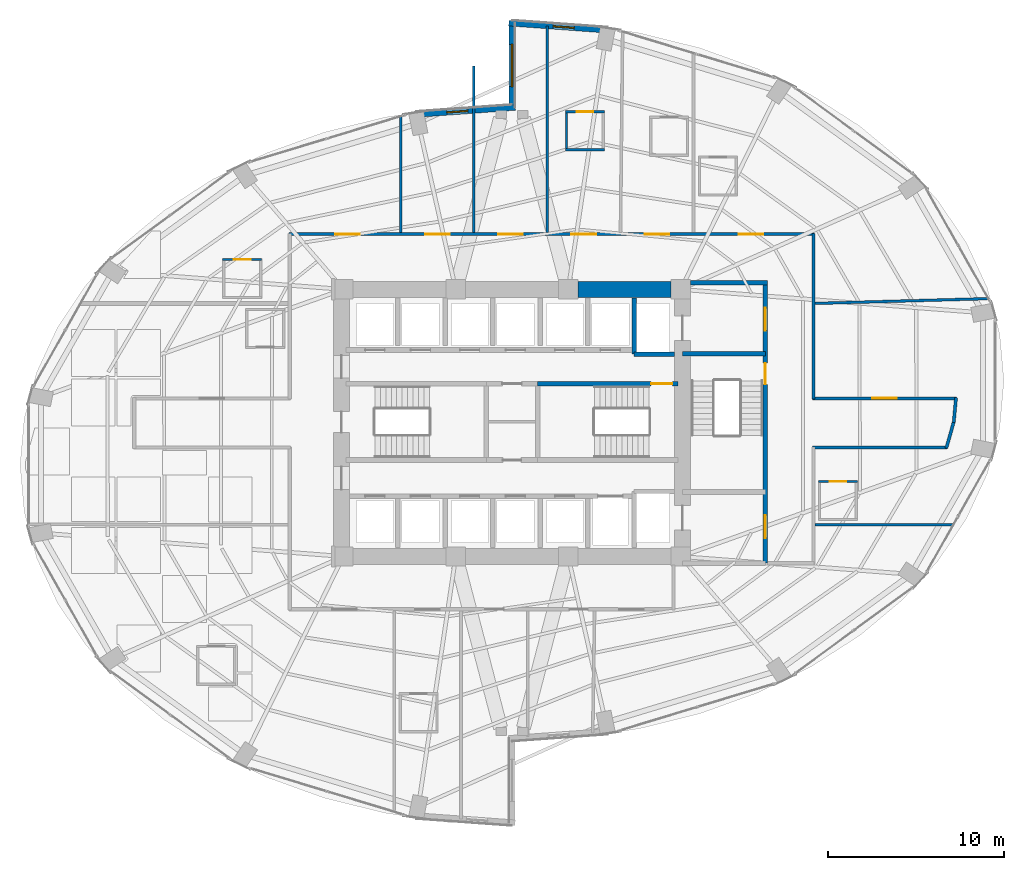
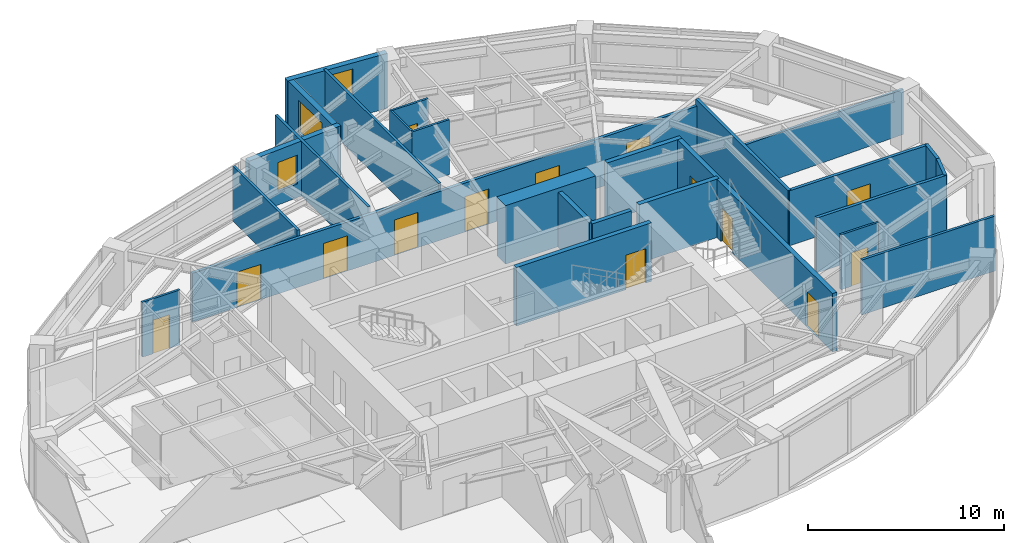
# One storey, part 22 of 25: 26 walls, 14 doors, 3 windows, 17 openings.
"""IFC4 building model written with IfcOpenShell, lengths in metres."""

import ifcopenshell
import ifcopenshell.guid

model = None  # the IFC model being written
_history = None  # IfcOwnerHistory: only IFC2X3 demands one
_inside = {}  # id of a spatial element -> (the spatial element, [elements in it])
_under = {}  # id of a project, library or spatial element -> (it, [spatial elements below it])
_declared = {}  # id of a project -> (the project, [libraries it declares])
_typed = {}  # id of a type object -> (the type object, [elements of that type])
_made_of = {}  # id of a material, layer set ... -> (it, [elements and type objects made of it])


def new_model(schema):
    """Start an empty IFC model of exactly this schema.

    Asked for "IFC4X3", IfcOpenShell would pick the latest addendum, in which some entities
    have other attributes; the version numbers below select the first issue.
    IFC2X3 requires an IfcOwnerHistory on every rooted entity: one is made here for all.
    """
    global model, _history
    if schema == "IFC4X3":
        model = ifcopenshell.file(schema_version=(4, 3, 0, 0))
    else:
        model = ifcopenshell.file(schema=schema)
    _inside.clear()
    _under.clear()
    _declared.clear()
    _typed.clear()
    _made_of.clear()
    _history = None
    if model.schema == "IFC2X3":
        org = make("IfcOrganization", Name="unknown")
        user = make(
            "IfcPersonAndOrganization",
            ThePerson=make("IfcPerson", FamilyName="unknown"),
            TheOrganization=org,
        )
        app = make(
            "IfcApplication",
            ApplicationDeveloper=org,
            Version="unknown",
            ApplicationFullName="unknown",
            ApplicationIdentifier="unknown",
        )
        _history = make(
            "IfcOwnerHistory",
            OwningUser=user,
            OwningApplication=app,
            ChangeAction="ADDED",
            CreationDate=0,
        )
    return model


def make(cls, **values):
    """One entity of the class cls with the attributes given. An attribute that is None is left unset."""
    return model.create_entity(
        cls, **{name: value for name, value in values.items() if value is not None}
    )


def rooted(cls, **values):
    """An entity with a GlobalId (a new one), such as an element, a storey or a relation."""
    return make(cls, GlobalId=ifcopenshell.guid.new(), OwnerHistory=_history, **values)


def si_unit(unit_type, name, prefix=None):
    """IfcSIUnit, for example si_unit("LENGTHUNIT", "METRE", prefix="MILLI")."""
    return make("IfcSIUnit", UnitType=unit_type, Prefix=prefix, Name=name)


def assignment(units):
    """IfcUnitAssignment: the units of a project."""
    return None if units is None else make("IfcUnitAssignment", Units=units)


def point(xyz):
    """IfcCartesianPoint."""
    return None if xyz is None else make("IfcCartesianPoint", Coordinates=xyz)


def direction(xyz):
    """IfcDirection."""
    return None if xyz is None else make("IfcDirection", DirectionRatios=xyz)


def frame(location, z_axis=None, x_axis=None):
    """IfcAxis2Placement3D, a coordinate frame: its origin and axes. An axis left out is left unset."""
    return make(
        "IfcAxis2Placement3D",
        Location=point(location),
        Axis=direction(z_axis),
        RefDirection=direction(x_axis),
    )


def frame_2d(location, x_axis=None):
    """IfcAxis2Placement2D, a coordinate frame in the plane: its origin and x axis."""
    return make(
        "IfcAxis2Placement2D", Location=point(location), RefDirection=direction(x_axis)
    )


def origin():
    """The frame at (0, 0, 0) with its axes left unset."""
    return frame((0.0, 0.0, 0.0))


def place(relative_to, where):
    """IfcLocalPlacement: puts the frame where relative to a parent placement (None: the world)."""
    return make(
        "IfcLocalPlacement", PlacementRelTo=relative_to, RelativePlacement=where
    )


def context(
    kind, dimensions, precision=None, world=None, true_north=None, identifier=None
):
    """IfcGeometricRepresentationContext, for example the 3D "Model" context."""
    return make(
        "IfcGeometricRepresentationContext",
        ContextIdentifier=identifier,
        ContextType=kind,
        CoordinateSpaceDimension=dimensions,
        Precision=precision,
        WorldCoordinateSystem=world,
        TrueNorth=true_north,
    )


def subcontext(parent, identifier, kind, view, scale=None):
    """IfcGeometricRepresentationSubContext, for example "Body" below "Model"."""
    return make(
        "IfcGeometricRepresentationSubContext",
        ContextIdentifier=identifier,
        ContextType=kind,
        ParentContext=parent,
        TargetScale=scale,
        TargetView=view,
    )


def project(units=None, contexts=None):
    """IfcProject with its units and contexts."""
    return rooted(
        "IfcProject",
        Name="project",
        RepresentationContexts=contexts,
        UnitsInContext=assignment(units),
    )


def spatial(cls, under=None, at=None, **own):
    """A site, building, storey or space (cls), placed at a placement, below another one or the project."""
    s = rooted(cls, ObjectPlacement=at, **own)
    if under is not None:
        _under.setdefault(under.id(), (under, []))[1].append(s)
    return s


def profile(cls, at=None, kind="AREA", **sizes):
    """A parametric profile (cls). Its sizes go by their IFC names, for example OverallWidth=200.0."""
    return make(cls, ProfileType=kind, Position=at, **sizes)


def rectangle(**sizes):
    """IfcRectangleProfileDef."""
    return profile("IfcRectangleProfileDef", **sizes)


def extrude(swept, where, along, depth):
    """IfcExtrudedAreaSolid: the profile swept, set in the frame where, extruded along a direction by depth."""
    return make(
        "IfcExtrudedAreaSolid",
        SweptArea=swept,
        Position=where,
        ExtrudedDirection=direction(along),
        Depth=depth,
    )


def shape(context_of_items, identifier, shape_type, items):
    """IfcShapeRepresentation: the items that make up one representation, for example the "Body"."""
    return make(
        "IfcShapeRepresentation",
        ContextOfItems=context_of_items,
        RepresentationIdentifier=identifier,
        RepresentationType=shape_type,
        Items=items,
    )


def material(Name=None, Category=None):
    """IfcMaterial."""
    return make("IfcMaterial", Name=Name, Category=Category)


def layer(
    of_material, thickness, ventilated=None, Name=None, Category=None, Priority=None
):
    """IfcMaterialLayer: one layer of a wall or slab, of a material (None: an air gap)."""
    return make(
        "IfcMaterialLayer",
        Material=of_material,
        LayerThickness=thickness,
        IsVentilated=ventilated,
        Name=Name,
        Category=Category,
        Priority=Priority,
    )


def layer_set(layers, Name=None):
    """IfcMaterialLayerSet."""
    return make("IfcMaterialLayerSet", MaterialLayers=layers, LayerSetName=Name)


def made_of(thing, what):
    """Note that an element or type object is made of a material, layer set ...; save() writes the relation."""
    if what is not None:
        _made_of.setdefault(what.id(), (what, []))[1].append(thing)
    return thing


def type_object(cls, material=None, **own):
    """A type object (cls), such as IfcWallType, which elements share."""
    return made_of(rooted(cls, **own), material)


def element(
    cls,
    number,
    at=None,
    inside=None,
    cuts=None,
    type_object=None,
    material=None,
    context=None,
    identifier="Body",
    shape_type=None,
    held_by="IfcProductDefinitionShape",
    body=None,
    shapes=None,
    **own,
):
    """One element of the class cls, such as IfcWall. Its Tag is "e" and its number.

    at: its placement. inside: the storey or other place that contains it. cuts: it is an
    opening in that element (IfcRelVoidsElement). A single representation is given by context,
    identifier, shape_type and body (its items); several are given by shapes. held_by: the class
    of the entity that holds the representations. save() writes the other relations.
    """
    e = rooted(cls, Tag="e%d" % number, ObjectPlacement=at, **own)
    if body is not None:
        shapes = [shape(context, identifier, shape_type, body)]
    if shapes is not None:
        e.Representation = make(held_by, Representations=shapes)
    if inside is not None:
        _inside.setdefault(inside.id(), (inside, []))[1].append(e)
    if cuts is not None:
        rooted(
            "IfcRelVoidsElement", RelatingBuildingElement=cuts, RelatedOpeningElement=e
        )
    if type_object is not None:
        _typed.setdefault(type_object.id(), (type_object, []))[1].append(e)
    return made_of(e, material)


def fill(opening, filler):
    """IfcRelFillsElement: the door or window that sits in an opening."""
    return rooted(
        "IfcRelFillsElement",
        RelatingOpeningElement=opening,
        RelatedBuildingElement=filler,
    )


def aggregate(whole, parts):
    """IfcRelAggregates: a whole, such as a stair, and the parts it consists of."""
    return rooted("IfcRelAggregates", RelatingObject=whole, RelatedObjects=parts)


def save(model, path):
    """Write the relations noted so far, then the file.

    IfcRelAggregates (storeys below a building ...), IfcRelContainedInSpatialStructure (elements
    in a storey), IfcRelDefinesByType, IfcRelAssociatesMaterial and IfcRelDeclares: one each for
    every whole, place, type object, material and project.
    """
    for whole, parts in _under.values():
        aggregate(whole, parts)
    for where, things in _inside.values():
        rooted(
            "IfcRelContainedInSpatialStructure",
            RelatedElements=things,
            RelatingStructure=where,
        )
    for kind, things in _typed.values():
        rooted("IfcRelDefinesByType", RelatedObjects=things, RelatingType=kind)
    for what, things in _made_of.values():
        rooted("IfcRelAssociatesMaterial", RelatedObjects=things, RelatingMaterial=what)
    for by, libraries in _declared.values():
        rooted("IfcRelDeclares", RelatingContext=by, RelatedDefinitions=libraries)
    model.write(path)


model = new_model("IFC4")

# Units and contexts
model_context = context("Model", 3, precision=1e-05, world=origin(), true_north=direction((0.0, 1.0)))
body_context = subcontext(model_context, "Body", "Model", "MODEL_VIEW")
ifc_project = project(units=[si_unit("LENGTHUNIT", "METRE"), si_unit("AREAUNIT", "SQUARE_METRE"), si_unit("VOLUMEUNIT", "CUBIC_METRE"), si_unit("PLANEANGLEUNIT", "RADIAN"), si_unit("MASSUNIT", "GRAM", prefix="KILO")], contexts=[model_context])

# Site, building, storey
site_placement = place(None, origin())
site = spatial("IfcSite", under=ifc_project, at=site_placement, CompositionType="ELEMENT")
building_placement = place(site_placement, origin())
building = spatial("IfcBuilding", under=site, at=building_placement, Name="Lazwardi Medical Tower", CompositionType="ELEMENT")
storey_placement = place(building_placement, frame((0.0, 0.0, 32.49609375)))
storey = spatial("IfcBuildingStorey", under=building, at=storey_placement, Name="L07", CompositionType="ELEMENT", Elevation=32.49609375)

# Wall, openings, doors
ifc_material_1 = material(Name="Fire-rated gypsum board on steel stud", Category="steel")
ifc_layer_1 = layer(ifc_material_1, 0.179931640625)
ifc_layer_set_1 = layer_set([ifc_layer_1], Name="Fire-rated gypsum board on steel stud")
wall_type_1 = type_object("IfcWallType", Name="WL-COR-180", PredefinedType="PARTITIONING", material=ifc_layer_set_1)
wall_1_placement = place(storey_placement, frame((23.31005859375, 38.75, 0.0), z_axis=(0.0, 0.0, 1.0), x_axis=(1.0, 0.0, 0.0)))
wall_1 = element("IfcWall", 1, at=wall_1_placement, inside=storey, type_object=wall_type_1, Name="L07 Corridor partition 4", PredefinedType="PARTITIONING", context=body_context, shape_type="SweptSolid", body=[
    extrude(rectangle(XDim=29.8798828125, YDim=0.179931640625, at=frame_2d((14.93994140625, 0.0))), origin(), (0.0, 0.0, 1.0), 3.052978515625),
])
opening_1_placement = place(wall_1_placement, frame((25.591064453125, 0.0, 0.0)))
opening_1 = element("IfcOpeningElement", 2, at=opening_1_placement, cuts=wall_1, Name="Opening D-L07-021", PredefinedType="OPENING", context=body_context, shape_type="SweptSolid", body=[
    extrude(rectangle(XDim=1.39990234375, YDim=2.199951171875, at=frame_2d((0.699951171875, 1.10009765625))), frame((0.0, 0.099853515625, 0.0), z_axis=(0.0, -1.0, 0.0), x_axis=(1.0, 0.0, 0.0)), (0.0, 0.0, 1.0), 0.199951171875),
])
opening_2_placement = place(wall_1_placement, frame((20.240478515625, 0.0, 0.0)))
opening_2 = element("IfcOpeningElement", 3, at=opening_2_placement, cuts=wall_1, Name="Opening D-L07-022", PredefinedType="OPENING", context=body_context, shape_type="SweptSolid", body=[
    extrude(rectangle(XDim=1.39990234375, YDim=2.199951171875, at=frame_2d((0.699951171875, 1.10009765625))), frame((0.0, 0.099853515625, 0.0), z_axis=(0.0, -1.0, 0.0), x_axis=(1.0, 0.0, 0.0)), (0.0, 0.0, 1.0), 0.199951171875),
])
opening_3_placement = place(wall_1_placement, frame((16.075439453125, 0.0, 0.0)))
opening_3 = element("IfcOpeningElement", 4, at=opening_3_placement, cuts=wall_1, Name="Opening D-L07-023", PredefinedType="OPENING", context=body_context, shape_type="SweptSolid", body=[
    extrude(rectangle(XDim=1.39990234375, YDim=2.199951171875, at=frame_2d((0.699951171875, 1.10009765625))), frame((0.0, 0.099853515625, 0.0), z_axis=(0.0, -1.0, 0.0), x_axis=(1.0, 0.0, 0.0)), (0.0, 0.0, 1.0), 0.199951171875),
])
opening_4_placement = place(wall_1_placement, frame((11.905029296875, 0.0, 0.0)))
opening_4 = element("IfcOpeningElement", 5, at=opening_4_placement, cuts=wall_1, Name="Opening D-L07-024", PredefinedType="OPENING", context=body_context, shape_type="SweptSolid", body=[
    extrude(rectangle(XDim=1.39990234375, YDim=2.199951171875, at=frame_2d((0.699951171875, 1.10009765625))), frame((0.0, 0.099853515625, 0.0), z_axis=(0.0, -1.0, 0.0), x_axis=(1.0, 0.0, 0.0)), (0.0, 0.0, 1.0), 0.199951171875),
])
opening_5_placement = place(wall_1_placement, frame((7.739990234375, 0.0, 0.0)))
opening_5 = element("IfcOpeningElement", 6, at=opening_5_placement, cuts=wall_1, Name="Opening D-L07-025", PredefinedType="OPENING", context=body_context, shape_type="SweptSolid", body=[
    extrude(rectangle(XDim=1.39990234375, YDim=2.199951171875, at=frame_2d((0.699951171875, 1.10009765625))), frame((0.0, 0.099853515625, 0.0), z_axis=(0.0, -1.0, 0.0), x_axis=(1.0, 0.0, 0.0)), (0.0, 0.0, 1.0), 0.199951171875),
])
opening_6_placement = place(wall_1_placement, frame((2.638916015625, 0.0, 0.0)))
opening_6 = element("IfcOpeningElement", 7, at=opening_6_placement, cuts=wall_1, Name="Opening D-L07-026", PredefinedType="OPENING", context=body_context, shape_type="SweptSolid", body=[
    extrude(rectangle(XDim=1.39990234375, YDim=2.199951171875, at=frame_2d((0.699951171875, 1.10009765625))), frame((0.0, 0.099853515625, 0.0), z_axis=(0.0, -1.0, 0.0), x_axis=(1.0, 0.0, 0.0)), (0.0, 0.0, 1.0), 0.199951171875),
])
ifc_material_2 = material(Name="Anti-microbial laminate hospital leaf")
door_type_1 = type_object("IfcDoorType", Name="DR-BED-1400", OperationType="NOTDEFINED", PredefinedType="DOOR", material=ifc_material_2)
door_1_placement = place(opening_1_placement, origin())
door_1 = element("IfcDoor", 8, at=door_1_placement, inside=storey, type_object=door_type_1, Name="L07 Inpatient Ward Door 07", OperationType="SINGLE_SWING_RIGHT", OverallHeight=2.199951171875, OverallWidth=1.39990234375, PredefinedType="DOOR", context=body_context, shape_type="SweptSolid", body=[
    extrude(rectangle(XDim=1.39990234375, YDim=2.199951171875, at=frame_2d((0.699951171875, 1.10009765625))), frame((0.0, 0.02490234375, 0.0), z_axis=(0.0, -1.0, 0.0), x_axis=(1.0, 0.0, 0.0)), (0.0, 0.0, 1.0), 0.050048828125),
])
fill(opening_1, door_1)
door_2_placement = place(opening_2_placement, origin())
door_2 = element("IfcDoor", 9, at=door_2_placement, inside=storey, type_object=door_type_1, Name="L07 Inpatient Ward Door 08", OperationType="SINGLE_SWING_RIGHT", OverallHeight=2.199951171875, OverallWidth=1.39990234375, PredefinedType="DOOR", context=body_context, shape_type="SweptSolid", body=[
    extrude(rectangle(XDim=1.39990234375, YDim=2.199951171875, at=frame_2d((0.699951171875, 1.10009765625))), frame((0.0, 0.02490234375, 0.0), z_axis=(0.0, -1.0, 0.0), x_axis=(1.0, 0.0, 0.0)), (0.0, 0.0, 1.0), 0.050048828125),
])
fill(opening_2, door_2)
door_3_placement = place(opening_3_placement, origin())
door_3 = element("IfcDoor", 10, at=door_3_placement, inside=storey, type_object=door_type_1, Name="L07 Inpatient Ward Door 09", OperationType="SINGLE_SWING_RIGHT", OverallHeight=2.199951171875, OverallWidth=1.39990234375, PredefinedType="DOOR", context=body_context, shape_type="SweptSolid", body=[
    extrude(rectangle(XDim=1.39990234375, YDim=2.199951171875, at=frame_2d((0.699951171875, 1.10009765625))), frame((0.0, 0.02490234375, 0.0), z_axis=(0.0, -1.0, 0.0), x_axis=(1.0, 0.0, 0.0)), (0.0, 0.0, 1.0), 0.050048828125),
])
fill(opening_3, door_3)
door_4_placement = place(opening_4_placement, origin())
door_4 = element("IfcDoor", 11, at=door_4_placement, inside=storey, type_object=door_type_1, Name="L07 Inpatient Ward Door 10", OperationType="SINGLE_SWING_LEFT", OverallHeight=2.199951171875, OverallWidth=1.39990234375, PredefinedType="DOOR", context=body_context, shape_type="SweptSolid", body=[
    extrude(rectangle(XDim=1.39990234375, YDim=2.199951171875, at=frame_2d((0.699951171875, 1.10009765625))), frame((0.0, 0.02490234375, 0.0), z_axis=(0.0, -1.0, 0.0), x_axis=(1.0, 0.0, 0.0)), (0.0, 0.0, 1.0), 0.050048828125),
])
fill(opening_4, door_4)
door_5_placement = place(opening_5_placement, origin())
door_5 = element("IfcDoor", 12, at=door_5_placement, inside=storey, type_object=door_type_1, Name="L07 Inpatient Ward Door 11", OperationType="SINGLE_SWING_RIGHT", OverallHeight=2.199951171875, OverallWidth=1.39990234375, PredefinedType="DOOR", context=body_context, shape_type="SweptSolid", body=[
    extrude(rectangle(XDim=1.39990234375, YDim=2.199951171875, at=frame_2d((0.699951171875, 1.10009765625))), frame((0.0, 0.02490234375, 0.0), z_axis=(0.0, -1.0, 0.0), x_axis=(1.0, 0.0, 0.0)), (0.0, 0.0, 1.0), 0.050048828125),
])
fill(opening_5, door_5)
door_6_placement = place(opening_6_placement, origin())
door_6 = element("IfcDoor", 13, at=door_6_placement, inside=storey, type_object=door_type_1, Name="L07 Inpatient Ward Door 12", OperationType="SINGLE_SWING_RIGHT", OverallHeight=2.199951171875, OverallWidth=1.39990234375, PredefinedType="DOOR", context=body_context, shape_type="SweptSolid", body=[
    extrude(rectangle(XDim=1.39990234375, YDim=2.199951171875, at=frame_2d((0.699951171875, 1.10009765625))), frame((0.0, 0.02490234375, 0.0), z_axis=(0.0, -1.0, 0.0), x_axis=(1.0, 0.0, 0.0)), (0.0, 0.0, 1.0), 0.050048828125),
])
fill(opening_6, door_6)

# Wall
wall_2_placement = place(storey_placement, frame((53.14990234375, 38.7900390625, 0.0), z_axis=(0.0, 0.0, 1.0), x_axis=(0.0, -1.0, 0.0)))
element("IfcWall", 14, at=wall_2_placement, inside=storey, type_object=wall_type_1, Name="L07 Corridor partition 5", PredefinedType="PARTITIONING", context=body_context, shape_type="SweptSolid", body=[
    extrude(rectangle(XDim=9.429931640625, YDim=0.179931640625, at=frame_2d((4.71484375, 0.0))), origin(), (0.0, 0.0, 1.0), 3.427978515625),
])

# Wall, opening, door
wall_3_placement = place(storey_placement, frame((53.110107421875, 29.39990234375, 0.0), z_axis=(0.0, 0.0, 1.0), x_axis=(1.0, 0.0, 0.0)))
wall_3 = element("IfcWall", 15, at=wall_3_placement, inside=storey, type_object=wall_type_1, Name="L07 Corridor partition 6", PredefinedType="PARTITIONING", context=body_context, shape_type="SweptSolid", body=[
    extrude(rectangle(XDim=8.19677734375, YDim=0.179931640625, at=frame_2d((4.098388671875, 0.0))), origin(), (0.0, 0.0, 1.0), 3.427978515625),
])
opening_7_placement = place(wall_3_placement, frame((3.3984375, 0.0, 0.0)))
opening_7 = element("IfcOpeningElement", 16, at=opening_7_placement, cuts=wall_3, Name="Opening D-L07-020", PredefinedType="OPENING", context=body_context, shape_type="SweptSolid", body=[
    extrude(rectangle(XDim=1.39990234375, YDim=2.199951171875, at=frame_2d((0.699951171875, 1.10009765625))), frame((0.0, 0.099853515625, 0.0), z_axis=(0.0, -1.0, 0.0), x_axis=(1.0, 0.0, 0.0)), (0.0, 0.0, 1.0), 0.199951171875),
])
door_7_placement = place(opening_7_placement, origin())
door_7 = element("IfcDoor", 17, at=door_7_placement, inside=storey, type_object=door_type_1, Name="L07 Inpatient Ward Door 06", OperationType="SINGLE_SWING_RIGHT", OverallHeight=2.199951171875, OverallWidth=1.39990234375, PredefinedType="DOOR", context=body_context, shape_type="SweptSolid", body=[
    extrude(rectangle(XDim=1.39990234375, YDim=2.199951171875, at=frame_2d((0.699951171875, 1.10009765625))), frame((0.0, 0.02490234375, 0.0), z_axis=(0.0, -1.0, 0.0), x_axis=(1.0, 0.0, 0.0)), (0.0, 0.0, 1.0), 0.050048828125),
])
fill(opening_7, door_7)

# Walls
wall_4_placement = place(storey_placement, frame((61.2705078125, 29.439697265625, 0.0), z_axis=(0.0, 0.0, 1.0), x_axis=(-0.092539930621, -0.995708974169, 0.0)))
element("IfcWall", 18, at=wall_4_placement, inside=storey, type_object=wall_type_1, Name="L07 Corridor partition 7", PredefinedType="PARTITIONING", context=body_context, shape_type="SweptSolid", body=[
    extrude(rectangle(XDim=1.416748046875, YDim=0.179931640625, at=frame_2d((0.70849609375, 0.0))), origin(), (0.0, 0.0, 1.0), 3.427978515625),
])
wall_5_placement = place(storey_placement, frame((61.15380859375, 28.107421875, 0.0), z_axis=(0.0, 0.0, 1.0), x_axis=(-0.271748942561, -0.962368179138, 0.0)))
element("IfcWall", 19, at=wall_5_placement, inside=storey, type_object=wall_type_1, Name="L07 Corridor partition 8", PredefinedType="PARTITIONING", context=body_context, shape_type="SweptSolid", body=[
    extrude(rectangle(XDim=1.6064453125, YDim=0.179931640625, at=frame_2d((0.80322265625, 0.0))), origin(), (0.0, 0.0, 1.0), 3.427978515625),
])
wall_6_placement = place(storey_placement, frame((60.768310546875, 26.60009765625, 0.0), z_axis=(0.0, 0.0, 1.0), x_axis=(-1.0, 0.0, 0.0)))
element("IfcWall", 20, at=wall_6_placement, inside=storey, type_object=wall_type_1, Name="L07 Corridor partition 9", PredefinedType="PARTITIONING", context=body_context, shape_type="SweptSolid", body=[
    extrude(rectangle(XDim=7.658203125, YDim=0.179931640625, at=frame_2d((3.8291015625, 0.0))), origin(), (0.0, 0.0, 1.0), 3.427978515625),
])
ifc_material_3 = material(Name="Concrete C80/95", Category="concrete")
ifc_layer_2 = layer(ifc_material_3, 0.89990234375)
ifc_layer_set_2 = layer_set([ifc_layer_2], Name="Concrete C80/95")
wall_type_2 = type_object("IfcWallType", Name="WL-CORE-900", PredefinedType="SHEAR", material=ifc_layer_set_2)
wall_7_placement = place(storey_placement, frame((39.75, 35.60009765625, 0.0), z_axis=(0.0, 0.0, 1.0), x_axis=(1.0, 0.0, 0.0)))
element("IfcWall", 21, at=wall_7_placement, inside=storey, type_object=wall_type_2, Name="Core wall CW-S1 N3 L07", PredefinedType="SHEAR", context=body_context, shape_type="SweptSolid", body=[
    extrude(rectangle(XDim=5.300048828125, YDim=0.89990234375, at=frame_2d((2.64990234375, 0.0))), origin(), (0.0, 0.0, 1.0), 3.64794921875),
])

# Wall, opening, door
ifc_material_4 = material(Name="Moisture-resistant gypsum board partition")
ifc_layer_3 = layer(ifc_material_4, 0.125)
ifc_layer_set_3 = layer_set([ifc_layer_3], Name="Moisture-resistant gypsum board partition")
wall_type_3 = type_object("IfcWallType", Name="WL-ENS-125", PredefinedType="PARTITIONING", material=ifc_layer_set_3)
wall_8_placement = place(storey_placement, frame((53.43505859375, 24.6650390625, 0.0), z_axis=(0.0, 0.0, 1.0), x_axis=(1.0, 0.0, 0.0)))
wall_8 = element("IfcWall", 22, at=wall_8_placement, inside=storey, type_object=wall_type_3, Name="L07 En-suite wall 6N", PredefinedType="PARTITIONING", context=body_context, shape_type="SweptSolid", body=[
    extrude(rectangle(XDim=2.219970703125, YDim=0.125, at=frame_2d((1.10986328125, 0.0))), origin(), (0.0, 0.0, 1.0), 3.427978515625),
])
opening_8_placement = place(wall_8_placement, frame((0.635009765625, 0.0, 0.0)))
opening_8 = element("IfcOpeningElement", 23, at=opening_8_placement, cuts=wall_8, Name="Opening D-L07-005", PredefinedType="OPENING", context=body_context, shape_type="SweptSolid", body=[
    extrude(rectangle(XDim=0.949951171875, YDim=2.10009765625, at=frame_2d((0.47509765625, 1.050048828125))), frame((0.0, 0.072509765625, 0.0), z_axis=(0.0, -1.0, 0.0), x_axis=(1.0, 0.0, 0.0)), (0.0, 0.0, 1.0), 0.14501953125),
])
ifc_material_5 = material(Name="Moisture-resistant laminate door leaf")
door_type_2 = type_object("IfcDoorType", Name="DR-ENS-950", OperationType="NOTDEFINED", PredefinedType="DOOR", material=ifc_material_5)
door_8_placement = place(opening_8_placement, origin())
door_8 = element("IfcDoor", 24, at=door_8_placement, inside=storey, type_object=door_type_2, Name="L07 En-suite Door 06", OperationType="SINGLE_SWING_LEFT", OverallHeight=2.10009765625, OverallWidth=0.949951171875, PredefinedType="DOOR", context=body_context, shape_type="SweptSolid", body=[
    extrude(rectangle(XDim=0.949951171875, YDim=2.10009765625, at=frame_2d((0.47509765625, 1.050048828125))), frame((0.0, 0.02490234375, 0.0), z_axis=(0.0, -1.0, 0.0), x_axis=(1.0, 0.0, 0.0)), (0.0, 0.0, 1.0), 0.050048828125),
])
fill(opening_8, door_8)

wall_9_placement = place(storey_placement, frame((39.035888671875, 45.7109375, 0.0), z_axis=(0.0, 0.0, 1.0), x_axis=(1.0, 0.0, 0.0)))
wall_9 = element("IfcWall", 25, at=wall_9_placement, inside=storey, type_object=wall_type_3, Name="L07 En-suite wall 9N", PredefinedType="PARTITIONING", context=body_context, shape_type="SweptSolid", body=[
    extrude(rectangle(XDim=2.219970703125, YDim=0.125, at=frame_2d((1.10986328125, 0.0))), origin(), (0.0, 0.0, 1.0), 3.427978515625),
])
opening_9_placement = place(wall_9_placement, frame((0.635009765625, 0.0, 0.0)))
opening_9 = element("IfcOpeningElement", 26, at=opening_9_placement, cuts=wall_9, Name="Opening D-L07-008", PredefinedType="OPENING", context=body_context, shape_type="SweptSolid", body=[
    extrude(rectangle(XDim=0.949951171875, YDim=2.10009765625, at=frame_2d((0.47509765625, 1.050048828125))), frame((0.0, 0.072509765625, 0.0), z_axis=(0.0, -1.0, 0.0), x_axis=(1.0, 0.0, 0.0)), (0.0, 0.0, 1.0), 0.14501953125),
])
door_9_placement = place(opening_9_placement, origin())
door_9 = element("IfcDoor", 27, at=door_9_placement, inside=storey, type_object=door_type_2, Name="L07 En-suite Door 09", OperationType="SINGLE_SWING_LEFT", OverallHeight=2.10009765625, OverallWidth=0.949951171875, PredefinedType="DOOR", context=body_context, shape_type="SweptSolid", body=[
    extrude(rectangle(XDim=0.949951171875, YDim=2.10009765625, at=frame_2d((0.47509765625, 1.050048828125))), frame((0.0, 0.02490234375, 0.0), z_axis=(0.0, -1.0, 0.0), x_axis=(1.0, 0.0, 0.0)), (0.0, 0.0, 1.0), 0.050048828125),
])
fill(opening_9, door_9)

# Walls
wall_10_placement = place(storey_placement, frame((39.035888671875, 43.551025390625, 0.0), z_axis=(0.0, 0.0, 1.0), x_axis=(1.0, 0.0, 0.0)))
element("IfcWall", 28, at=wall_10_placement, inside=storey, type_object=wall_type_3, Name="L07 En-suite wall 9S", PredefinedType="PARTITIONING", context=body_context, shape_type="SweptSolid", body=[
    extrude(rectangle(XDim=2.219970703125, YDim=0.125, at=frame_2d((1.10986328125, 0.0))), origin(), (0.0, 0.0, 1.0), 3.427978515625),
])
wall_11_placement = place(storey_placement, frame((39.095703125, 43.490966796875, 0.0), z_axis=(0.0, 0.0, 1.0), x_axis=(0.0, 1.0, 0.0)))
element("IfcWall", 29, at=wall_11_placement, inside=storey, type_object=wall_type_3, Name="L07 En-suite wall 9W", PredefinedType="PARTITIONING", context=body_context, shape_type="SweptSolid", body=[
    extrude(rectangle(XDim=2.280029296875, YDim=0.125, at=frame_2d((1.14013671875, 0.0))), origin(), (0.0, 0.0, 1.0), 3.427978515625),
])

# Wall, opening, door
wall_12_placement = place(storey_placement, frame((19.53759765625, 37.300048828125, 0.0), z_axis=(0.0, 0.0, 1.0), x_axis=(1.0, 0.0, 0.0)))
wall_12 = element("IfcWall", 30, at=wall_12_placement, inside=storey, type_object=wall_type_3, Name="L07 En-suite wall 12N", PredefinedType="PARTITIONING", context=body_context, shape_type="SweptSolid", body=[
    extrude(rectangle(XDim=2.219970703125, YDim=0.125, at=frame_2d((1.10986328125, 0.0))), origin(), (0.0, 0.0, 1.0), 3.427978515625),
])
opening_10_placement = place(wall_12_placement, frame((0.635009765625, 0.0, 0.0)))
opening_10 = element("IfcOpeningElement", 31, at=opening_10_placement, cuts=wall_12, Name="Opening D-L07-009", PredefinedType="OPENING", context=body_context, shape_type="SweptSolid", body=[
    extrude(rectangle(XDim=0.949951171875, YDim=2.10009765625, at=frame_2d((0.47509765625, 1.050048828125))), frame((0.0, 0.072509765625, 0.0), z_axis=(0.0, -1.0, 0.0), x_axis=(1.0, 0.0, 0.0)), (0.0, 0.0, 1.0), 0.14501953125),
])
door_10_placement = place(opening_10_placement, origin())
door_10 = element("IfcDoor", 32, at=door_10_placement, inside=storey, type_object=door_type_2, Name="L07 En-suite Door 12", OperationType="SINGLE_SWING_LEFT", OverallHeight=2.10009765625, OverallWidth=0.949951171875, PredefinedType="DOOR", context=body_context, shape_type="SweptSolid", body=[
    extrude(rectangle(XDim=0.949951171875, YDim=2.10009765625, at=frame_2d((0.47509765625, 1.050048828125))), frame((0.0, 0.02490234375, 0.0), z_axis=(0.0, -1.0, 0.0), x_axis=(1.0, 0.0, 0.0)), (0.0, 0.0, 1.0), 0.050048828125),
])
fill(opening_10, door_10)

# Wall, opening, window
ifc_material_6 = material(Name="Precast concrete C45/55", Category="concrete")
ifc_layer_4 = layer(ifc_material_6, 0.320068359375)
ifc_layer_set_4 = layer_set([ifc_layer_4], Name="Precast concrete C45/55")
wall_type_4 = type_object("IfcWallType", Name="WL-IWAN-320", PredefinedType="SOLIDWALL", material=ifc_layer_set_4)
wall_13_placement = place(storey_placement, frame((41.481201171875, 50.345703125, 0.0), z_axis=(0.0, 0.0, 1.0), x_axis=(-0.997422321809, 0.071754525696, 0.0)))
wall_13 = element("IfcWall", 33, at=wall_13_placement, inside=storey, type_object=wall_type_4, Name="L07 Iwan Portal Return Wall NE_ret", PredefinedType="SOLIDWALL", context=body_context, shape_type="SweptSolid", body=[
    extrude(rectangle(XDim=5.67529296875, YDim=0.320068359375, at=frame_2d((2.837646484375, 0.0))), origin(), (0.0, 0.0, 1.0), 3.427978515625),
])
opening_11_placement = place(wall_13_placement, frame((1.94921875, 0.0, 0.85009765625)))
opening_11 = element("IfcOpeningElement", 34, at=opening_11_placement, cuts=wall_13, Name="Opening WN-01", PredefinedType="OPENING", context=body_context, shape_type="SweptSolid", body=[
    extrude(rectangle(XDim=1.199951171875, YDim=2.199951171875, at=frame_2d((0.60009765625, 1.10009765625))), frame((0.0, 0.169921875, 0.0), z_axis=(0.0, -1.0, 0.0), x_axis=(1.0, 0.0, 0.0)), (0.0, 0.0, 1.0), 0.340087890625),
])
ifc_material_7 = material(Name="Low-e bronze solar control double glazing", Category="glass")
window_type_1 = type_object("IfcWindowType", Name="WIN-IW-1200", PartitioningType="SINGLE_PANEL", PredefinedType="WINDOW", material=ifc_material_7)
window_1_placement = place(opening_11_placement, origin())
window_1 = element("IfcWindow", 35, at=window_1_placement, inside=storey, type_object=window_type_1, Name="L07 Iwan Slot Window NE_ret", OverallHeight=2.199951171875, OverallWidth=1.199951171875, PartitioningType="SINGLE_PANEL", PredefinedType="WINDOW", context=body_context, shape_type="SweptSolid", body=[
    extrude(rectangle(XDim=1.199951171875, YDim=2.199951171875, at=frame_2d((0.60009765625, 1.10009765625))), frame((0.0, 0.030029296875, 0.0), z_axis=(0.0, -1.0, 0.0), x_axis=(1.0, 0.0, 0.0)), (0.0, 0.0, 1.0), 0.06005859375),
])
fill(opening_11, window_1)

wall_14_placement = place(storey_placement, frame((36.178955078125, 45.952880859375, 0.0), z_axis=(0.0, 0.0, 1.0), x_axis=(-0.997421878774, -0.071760683825, 0.0)))
wall_14 = element("IfcWall", 36, at=wall_14_placement, inside=storey, type_object=wall_type_4, Name="L07 Iwan Portal Return Wall NW_ret", PredefinedType="SOLIDWALL", context=body_context, shape_type="SweptSolid", body=[
    extrude(rectangle(XDim=5.6748046875, YDim=0.320068359375, at=frame_2d((2.83740234375, 0.0))), origin(), (0.0, 0.0, 1.0), 3.427978515625),
])
opening_12_placement = place(wall_14_placement, frame((2.6962890625, 0.0, 0.85009765625)))
opening_12 = element("IfcOpeningElement", 37, at=opening_12_placement, cuts=wall_14, Name="Opening WN-04", PredefinedType="OPENING", context=body_context, shape_type="SweptSolid", body=[
    extrude(rectangle(XDim=1.199951171875, YDim=1.800048828125, at=frame_2d((0.60009765625, 0.89990234375))), frame((0.0, 0.169921875, 0.0), z_axis=(0.0, -1.0, 0.0), x_axis=(1.0, 0.0, 0.0)), (0.0, 0.0, 1.0), 0.340087890625),
])
window_type_2 = type_object("IfcWindowType", Name="WIN-DRUM-1200", PartitioningType="SINGLE_PANEL", PredefinedType="WINDOW", material=ifc_material_7)
window_2_placement = place(opening_12_placement, origin())
window_2 = element("IfcWindow", 38, at=window_2_placement, inside=storey, type_object=window_type_2, Name="L07 Iwan Slot Window NW_ret", OverallHeight=1.800048828125, OverallWidth=1.199951171875, PartitioningType="SINGLE_PANEL", PredefinedType="WINDOW", context=body_context, shape_type="SweptSolid", body=[
    extrude(rectangle(XDim=1.199951171875, YDim=1.800048828125, at=frame_2d((0.60009765625, 0.89990234375))), frame((0.0, 0.030029296875, 0.0), z_axis=(0.0, -1.0, 0.0), x_axis=(1.0, 0.0, 0.0)), (0.0, 0.0, 1.0), 0.06005859375),
])
fill(opening_12, window_2)

wall_15_placement = place(storey_placement, frame((36.0, 50.89990234375, 0.0), z_axis=(0.0, 0.0, 1.0), x_axis=(0.0, -1.0, 0.0)))
wall_15 = element("IfcWall", 39, at=wall_15_placement, inside=storey, type_object=wall_type_4, Name="L07 Turquoise Tilework Iwan Seam Wall N_seam", PredefinedType="SOLIDWALL", context=body_context, shape_type="SweptSolid", body=[
    extrude(rectangle(XDim=5.119873046875, YDim=0.320068359375, at=frame_2d((2.56005859375, 0.0))), origin(), (0.0, 0.0, 1.0), 3.427978515625),
])
opening_13_placement = place(wall_15_placement, frame((1.360107421875, 0.0, 0.840087890625)))
opening_13 = element("IfcOpeningElement", 40, at=opening_13_placement, cuts=wall_15, Name="Opening WN-02", PredefinedType="OPENING", context=body_context, shape_type="SweptSolid", body=[
    extrude(rectangle(XDim=2.39990234375, YDim=2.0400390625, at=frame_2d((1.199951171875, 1.02001953125))), frame((0.0, 0.169921875, 0.0), z_axis=(0.0, -1.0, 0.0), x_axis=(1.0, 0.0, 0.0)), (0.0, 0.0, 1.0), 0.340087890625),
])
window_type_3 = type_object("IfcWindowType", Name="WIN-IW-2400", PartitioningType="SINGLE_PANEL", PredefinedType="WINDOW", material=ifc_material_7)
window_3_placement = place(opening_13_placement, origin())
window_3 = element("IfcWindow", 41, at=window_3_placement, inside=storey, type_object=window_type_3, Name="L07 Iwan Seam Window N_seam", OverallHeight=2.0400390625, OverallWidth=2.39990234375, PartitioningType="SINGLE_PANEL", PredefinedType="WINDOW", context=body_context, shape_type="SweptSolid", body=[
    extrude(rectangle(XDim=2.39990234375, YDim=2.0400390625, at=frame_2d((1.199951171875, 1.02001953125))), frame((0.0, 0.030029296875, 0.0), z_axis=(0.0, -1.0, 0.0), x_axis=(1.0, 0.0, 0.0)), (0.0, 0.0, 1.0), 0.06005859375),
])
fill(opening_13, window_3)

# Walls
ifc_material_8 = material(Name="Autoclaved aerated concrete blockwork", Category="masonry")
ifc_layer_5 = layer(ifc_material_8, 0.25)
ifc_layer_set_5 = layer_set([ifc_layer_5], Name="Autoclaved aerated concrete blockwork")
wall_type_5 = type_object("IfcWallType", Name="WL-SHAFT-250", PredefinedType="SOLIDWALL", material=ifc_layer_set_5)
wall_16_placement = place(storey_placement, frame((42.949951171875, 31.919921875, 0.0), z_axis=(0.0, 0.0, 1.0), x_axis=(0.0, 1.0, 0.0)))
element("IfcWall", 42, at=wall_16_placement, inside=storey, type_object=wall_type_5, Name="L07 FL-01 West shaft wall", PredefinedType="SOLIDWALL", context=body_context, shape_type="SweptSolid", body=[
    extrude(rectangle(XDim=3.18017578125, YDim=0.25, at=frame_2d((1.590087890625, 0.0))), origin(), (0.0, 0.0, 1.0), 3.427978515625),
])
wall_17_placement = place(storey_placement, frame((42.949951171875, 31.919921875, 0.0), z_axis=(0.0, 0.0, 1.0), x_axis=(1.0, 0.0, 0.0)))
element("IfcWall", 43, at=wall_17_placement, inside=storey, type_object=wall_type_5, Name="L07 FL-01 South shaft wall", PredefinedType="SOLIDWALL", context=body_context, shape_type="SweptSolid", body=[
    extrude(rectangle(XDim=2.300048828125, YDim=0.25, at=frame_2d((1.14990234375, 0.0))), origin(), (0.0, 0.0, 1.0), 3.427978515625),
])

# Wall, opening, door
ifc_material_9 = material(Name="Concrete C50/60", Category="concrete")
ifc_layer_6 = layer(ifc_material_9, 0.27001953125)
ifc_layer_set_6 = layer_set([ifc_layer_6], Name="Concrete C50/60")
wall_type_6 = type_object("IfcWallType", Name="WL-STR-250", PredefinedType="SHEAR", material=ifc_layer_set_6)
wall_18_placement = place(storey_placement, frame((37.465087890625, 30.235107421875, 0.0), z_axis=(0.0, 0.0, 1.0), x_axis=(1.0, 0.0, 0.0)))
wall_18 = element("IfcWall", 44, at=wall_18_placement, inside=storey, type_object=wall_type_6, Name="L07 ST2 North shear shaft wall SW-S1", PredefinedType="SHEAR", context=body_context, shape_type="SweptSolid", body=[
    extrude(rectangle(XDim=7.98486328125, YDim=0.27001953125, at=frame_2d((3.992431640625, 0.0))), origin(), (0.0, 0.0, 1.0), 3.64794921875),
])
opening_14_placement = place(wall_18_placement, frame((6.455078125, 0.0, 0.0)))
opening_14 = element("IfcOpeningElement", 45, at=opening_14_placement, cuts=wall_18, Name="Opening D-L07-029", PredefinedType="OPENING", context=body_context, shape_type="SweptSolid", body=[
    extrude(rectangle(XDim=1.199951171875, YDim=2.14990234375, at=frame_2d((0.60009765625, 1.074951171875))), frame((0.0, 0.14501953125, 0.0), z_axis=(0.0, -1.0, 0.0), x_axis=(1.0, 0.0, 0.0)), (0.0, 0.0, 1.0), 0.2900390625),
])
ifc_material_10 = material(Name="Fire-rated steel leaf and frame", Category="steel")
door_type_3 = type_object("IfcDoorType", Name="DR-STR-1200", OperationType="NOTDEFINED", PredefinedType="DOOR", material=ifc_material_10)
door_11_placement = place(opening_14_placement, origin())
door_11 = element("IfcDoor", 46, at=door_11_placement, inside=storey, type_object=door_type_3, Name="L07 Exit Stair ST2 Door", OperationType="SINGLE_SWING_RIGHT", OverallHeight=2.14990234375, OverallWidth=1.199951171875, PredefinedType="DOOR", context=body_context, shape_type="SweptSolid", body=[
    extrude(rectangle(XDim=1.199951171875, YDim=2.14990234375, at=frame_2d((0.60009765625, 1.074951171875))), frame((0.0, 0.02490234375, 0.0), z_axis=(0.0, -1.0, 0.0), x_axis=(1.0, 0.0, 0.0)), (0.0, 0.0, 1.0), 0.050048828125),
])
fill(opening_14, door_11)

# Wall, openings, doors
wall_19_placement = place(storey_placement, frame((50.4150390625, 35.844970703125, 0.0), z_axis=(0.0, 0.0, 1.0), x_axis=(0.0, -1.0, 0.0)))
wall_19 = element("IfcWall", 47, at=wall_19_placement, inside=storey, type_object=wall_type_6, Name="L07 East ST3 & FFL shear wall SW-S1", PredefinedType="SHEAR", context=body_context, shape_type="SweptSolid", body=[
    extrude(rectangle(XDim=15.824951171875, YDim=0.27001953125, at=frame_2d((7.91259765625, 0.0))), origin(), (0.0, 0.0, 1.0), 3.64794921875),
])
opening_15_placement = place(wall_19_placement, frame((4.445068359375, 0.0, 0.0)))
opening_15 = element("IfcOpeningElement", 48, at=opening_15_placement, cuts=wall_19, Name="Opening D-L07-030", PredefinedType="OPENING", context=body_context, shape_type="SweptSolid", body=[
    extrude(rectangle(XDim=1.199951171875, YDim=2.14990234375, at=frame_2d((0.60009765625, 1.074951171875))), frame((0.0, 0.14501953125, 0.0), z_axis=(0.0, -1.0, 0.0), x_axis=(1.0, 0.0, 0.0)), (0.0, 0.0, 1.0), 0.2900390625),
])
opening_16_placement = place(wall_19_placement, frame((1.294921875, 0.0, 0.0)))
opening_16 = element("IfcOpeningElement", 49, at=opening_16_placement, cuts=wall_19, Name="Opening D-L07-011", PredefinedType="OPENING", context=body_context, shape_type="SweptSolid", body=[
    extrude(rectangle(XDim=1.300048828125, YDim=2.199951171875, at=frame_2d((0.64990234375, 1.10009765625))), frame((0.0, 0.14501953125, 0.0), z_axis=(0.0, -1.0, 0.0), x_axis=(1.0, 0.0, 0.0)), (0.0, 0.0, 1.0), 0.2900390625),
])
opening_17_placement = place(wall_19_placement, frame((13.094970703125, 0.0, 0.0)))
opening_17 = element("IfcOpeningElement", 50, at=opening_17_placement, cuts=wall_19, Name="Opening D-L07-012", PredefinedType="OPENING", context=body_context, shape_type="SweptSolid", body=[
    extrude(rectangle(XDim=1.300048828125, YDim=2.199951171875, at=frame_2d((0.64990234375, 1.10009765625))), frame((0.0, 0.14501953125, 0.0), z_axis=(0.0, -1.0, 0.0), x_axis=(1.0, 0.0, 0.0)), (0.0, 0.0, 1.0), 0.2900390625),
])
door_type_4 = type_object("IfcDoorType", Name="DR-FFL-1300", OperationType="NOTDEFINED", PredefinedType="DOOR", material=ifc_material_10)
door_12_placement = place(opening_16_placement, origin())
door_12 = element("IfcDoor", 51, at=door_12_placement, inside=storey, type_object=door_type_4, Name="L07 Fire-Fighting Lobby North Door", OperationType="SINGLE_SWING_RIGHT", OverallHeight=2.199951171875, OverallWidth=1.300048828125, PredefinedType="DOOR", context=body_context, shape_type="SweptSolid", body=[
    extrude(rectangle(XDim=1.300048828125, YDim=2.199951171875, at=frame_2d((0.64990234375, 1.10009765625))), frame((0.0, 0.02490234375, 0.0), z_axis=(0.0, -1.0, 0.0), x_axis=(1.0, 0.0, 0.0)), (0.0, 0.0, 1.0), 0.050048828125),
])
fill(opening_16, door_12)
door_13_placement = place(opening_17_placement, origin())
door_13 = element("IfcDoor", 52, at=door_13_placement, inside=storey, type_object=door_type_4, Name="L07 Fire-Fighting Lobby South Door", OperationType="SINGLE_SWING_LEFT", OverallHeight=2.199951171875, OverallWidth=1.300048828125, PredefinedType="DOOR", context=body_context, shape_type="SweptSolid", body=[
    extrude(rectangle(XDim=1.300048828125, YDim=2.199951171875, at=frame_2d((0.64990234375, 1.10009765625))), frame((0.0, 0.02490234375, 0.0), z_axis=(0.0, -1.0, 0.0), x_axis=(1.0, 0.0, 0.0)), (0.0, 0.0, 1.0), 0.050048828125),
])
fill(opening_17, door_13)
door_14_placement = place(opening_15_placement, origin())
door_14 = element("IfcDoor", 53, at=door_14_placement, inside=storey, type_object=door_type_3, Name="L07 Exit Stair ST3 Door", OperationType="SINGLE_SWING_LEFT", OverallHeight=2.14990234375, OverallWidth=1.199951171875, PredefinedType="DOOR", context=body_context, shape_type="SweptSolid", body=[
    extrude(rectangle(XDim=1.199951171875, YDim=2.14990234375, at=frame_2d((0.60009765625, 1.074951171875))), frame((0.0, 0.02490234375, 0.0), z_axis=(0.0, -1.0, 0.0), x_axis=(1.0, 0.0, 0.0)), (0.0, 0.0, 1.0), 0.050048828125),
])
fill(opening_15, door_14)

# Walls
wall_20_placement = place(storey_placement, frame((46.14990234375, 35.97998046875, 0.0), z_axis=(0.0, 0.0, 1.0), x_axis=(1.0, 0.0, 0.0)))
element("IfcWall", 54, at=wall_20_placement, inside=storey, type_object=wall_type_6, Name="L07 FFL-N North shear wall SW-S1", PredefinedType="SHEAR", context=body_context, shape_type="SweptSolid", body=[
    extrude(rectangle(XDim=4.400146484375, YDim=0.27001953125, at=frame_2d((2.2001953125, 0.0))), origin(), (0.0, 0.0, 1.0), 3.64794921875),
])
wall_21_placement = place(storey_placement, frame((45.699951171875, 31.93505859375, 0.0), z_axis=(0.0, 0.0, 1.0), x_axis=(1.0, 0.0, 0.0)))
element("IfcWall", 55, at=wall_21_placement, inside=storey, type_object=wall_type_6, Name="L07 ST3 North shear shaft wall SW-S1", PredefinedType="SHEAR", context=body_context, shape_type="SweptSolid", body=[
    extrude(rectangle(XDim=4.715087890625, YDim=0.27001953125, at=frame_2d((2.357421875, 0.0))), origin(), (0.0, 0.0, 1.0), 3.64794921875),
])
ifc_material_11 = material(Name="Acoustic gypsum board partition")
ifc_layer_7 = layer(ifc_material_11, 0.14990234375)
ifc_layer_set_7 = layer_set([ifc_layer_7], Name="Acoustic gypsum board partition")
wall_type_7 = type_object("IfcWallType", Name="WL-WRD-150", PredefinedType="PARTITIONING", material=ifc_layer_set_7)
wall_22_placement = place(storey_placement, frame((53.239990234375, 22.199951171875, 0.0), z_axis=(0.0, 0.0, 1.0), x_axis=(1.0, 0.0, 0.0)))
element("IfcWall", 56, at=wall_22_placement, inside=storey, type_object=wall_type_7, Name="L07 Room partition 3", PredefinedType="PARTITIONING", context=body_context, shape_type="SweptSolid", body=[
    extrude(rectangle(XDim=7.87548828125, YDim=0.14990234375, at=frame_2d((3.937744140625, 0.0))), origin(), (0.0, 0.0, 1.0), 3.427978515625),
])
wall_23_placement = place(storey_placement, frame((53.239990234375, 34.802001953125, 0.0), z_axis=(0.0, 0.0, 1.0), x_axis=(0.999620561748, 0.027545099924, 0.0)))
element("IfcWall", 57, at=wall_23_placement, inside=storey, type_object=wall_type_7, Name="L07 Room partition 4", PredefinedType="PARTITIONING", context=body_context, shape_type="SweptSolid", body=[
    extrude(rectangle(XDim=9.891357421875, YDim=0.14990234375, at=frame_2d((4.94580078125, 0.0))), origin(), (0.0, 0.0, 1.0), 2.81298828125),
])
wall_24_placement = place(storey_placement, frame((29.669921875, 38.840087890625, 0.0), z_axis=(0.0, 0.0, 1.0), x_axis=(0.0, 1.0, 0.0)))
element("IfcWall", 58, at=wall_24_placement, inside=storey, type_object=wall_type_7, Name="L07 Room partition 5", PredefinedType="PARTITIONING", context=body_context, shape_type="SweptSolid", body=[
    extrude(rectangle(XDim=6.59619140625, YDim=0.14990234375, at=frame_2d((3.298095703125, 0.0))), origin(), (0.0, 0.0, 1.0), 3.427978515625),
])
wall_25_placement = place(storey_placement, frame((33.830078125, 38.840087890625, 0.0), z_axis=(0.0, 0.0, 1.0), x_axis=(0.0, 1.0, 0.0)))
element("IfcWall", 59, at=wall_25_placement, inside=storey, type_object=wall_type_7, Name="L07 Room partition 6", PredefinedType="PARTITIONING", context=body_context, shape_type="SweptSolid", body=[
    extrude(rectangle(XDim=9.46630859375, YDim=0.14990234375, at=frame_2d((4.733154296875, 0.0))), origin(), (0.0, 0.0, 1.0), 3.427978515625),
])
wall_26_placement = place(storey_placement, frame((38.0, 38.840087890625, 0.0), z_axis=(0.0, 0.0, 1.0), x_axis=(0.0, 1.0, 0.0)))
element("IfcWall", 60, at=wall_26_placement, inside=storey, type_object=wall_type_7, Name="L07 Room partition 7", PredefinedType="PARTITIONING", context=body_context, shape_type="SweptSolid", body=[
    extrude(rectangle(XDim=11.743408203125, YDim=0.14990234375, at=frame_2d((5.87158203125, 0.0))), origin(), (0.0, 0.0, 1.0), 3.427978515625),
])

save(model, "model.ifc")
